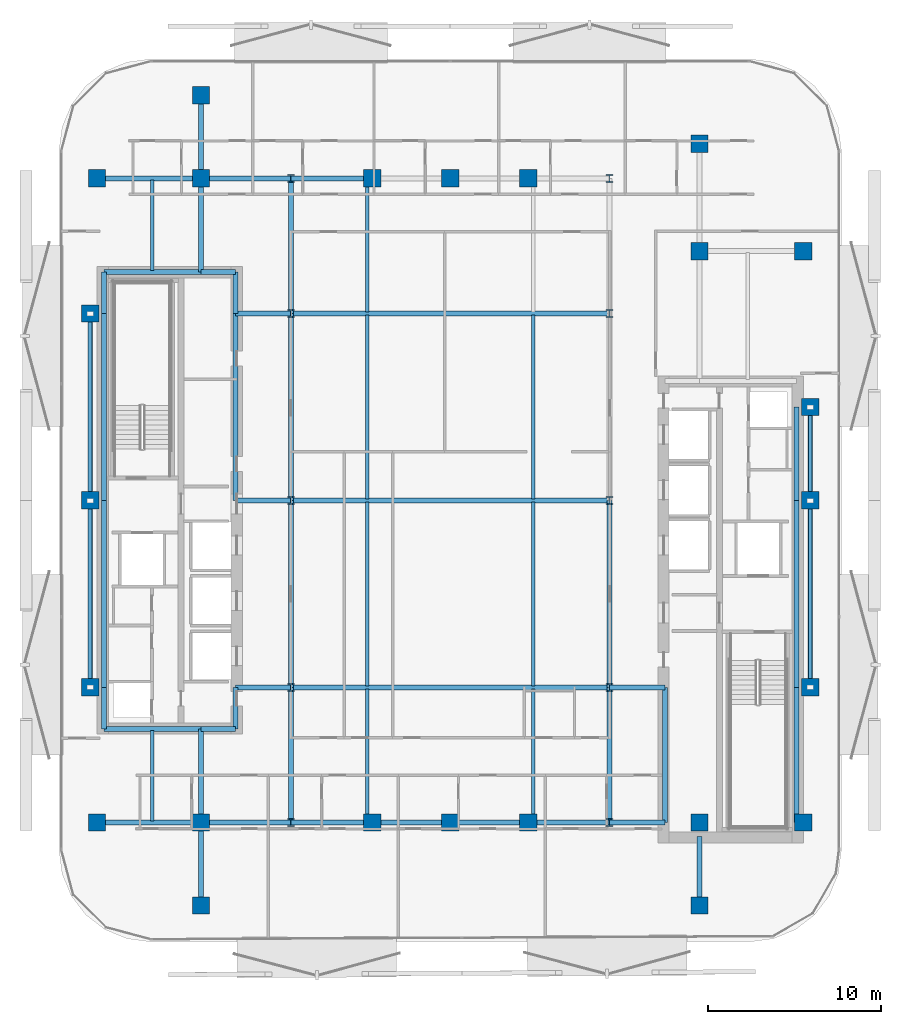
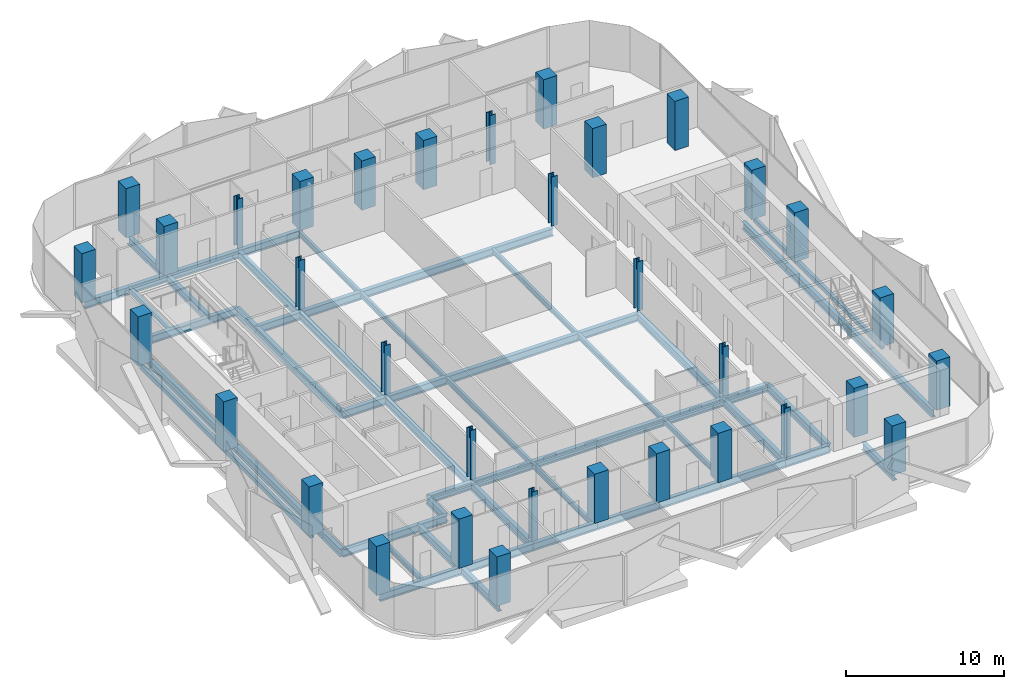
# One storey, part 1 of 17: 56 beams, 34 columns.
"""IFC4 building model written with IfcOpenShell, lengths in metres."""

from ifc_helpers import new_model, si_unit, direction, frame, origin, origin_2d, place, context, subcontext, project, spatial, rectangle, hollow_rectangle, i_section, extrude, material, material_profile, profile_set, type_object, element, save


model = new_model("IFC4")

# Units and contexts
model_context = context("Model", 3, precision=1e-05, world=origin(), true_north=direction((0.0, 1.0)))
body_context = subcontext(model_context, "Body", "Model", "MODEL_VIEW")
ifc_project = project(units=[si_unit("LENGTHUNIT", "METRE"), si_unit("AREAUNIT", "SQUARE_METRE"), si_unit("VOLUMEUNIT", "CUBIC_METRE"), si_unit("PLANEANGLEUNIT", "RADIAN"), si_unit("MASSUNIT", "GRAM", prefix="KILO")], contexts=[model_context])

# Site, building, storey
site_placement = place(None, origin())
site = spatial("IfcSite", under=ifc_project, at=site_placement, CompositionType="ELEMENT")
building_placement = place(site_placement, origin())
building = spatial("IfcBuilding", under=site, at=building_placement, Name="Khairoan Windgate Tower", CompositionType="ELEMENT")
storey_placement = place(building_placement, frame((0.0, 0.0, 195.39990234375)))
storey = spatial("IfcBuildingStorey", under=building, at=storey_placement, Name="L45", CompositionType="ELEMENT", Elevation=195.39990234375)

# Columns
ifc_material_1 = material(Name="Concrete C50/60", Category="concrete")
ifc_material_profile_1 = material_profile(ifc_material_1, rectangle(XDim=1.0, YDim=1.0, at=origin_2d()))
ifc_profile_set_1 = profile_set([ifc_material_profile_1], Name="Concrete C50/60")
column_type_1 = type_object("IfcColumnType", Name="Column C-T4 RC1000x1000", PredefinedType="COLUMN", material=ifc_profile_set_1)
for number, where, z_axis, x_axis, name in (
    (1, (-20.39990234375, -18.60009765625, 0.0), (0.0, 0.0, 1.0), (1.0, 0.0, 0.0), "Column L45-11"),
    (2, (-20.39990234375, 18.60009765625, 0.0), (0.0, 0.0, 1.0), (1.0, 0.0, 0.0), "Column L45-12"),
    (3, (20.39990234375, -18.60009765625, 0.0), (0.0, 0.0, 1.0), (1.0, 0.0, 0.0), "Column L45-13"),
    (4, (20.39990234375, 14.39990234375, 0.0), (0.0, 0.0, 1.0), (1.0, 0.0, 0.0), "Column L45-14"),
    (5, (-14.39990234375, -18.60009765625, 0.0), (0.0, 0.0, 1.0), (1.0, 0.0, 0.0), "Column L45-15"),
    (6, (-14.39990234375, 18.60009765625, 0.0), (0.0, 0.0, 1.0), (1.0, 0.0, 0.0), "Column L45-16"),
    (7, (14.39990234375, -18.60009765625, 0.0), (0.0, 0.0, 1.0), (1.0, 0.0, 0.0), "Column L45-17"),
    (8, (14.39990234375, 14.39990234375, 0.0), (0.0, 0.0, 1.0), (1.0, 0.0, 0.0), "Column L45-18"),
    (9, (-4.5, -18.60009765625, 0.0), (0.0, 0.0, 1.0), (1.0, 0.0, 0.0), "Column L45-19"),
    (10, (0.0, -18.60009765625, 0.0), (0.0, 0.0, 1.0), (1.0, 0.0, 0.0), "Column L45-20"),
    (11, (4.5, -18.60009765625, 0.0), (0.0, 0.0, 1.0), (1.0, 0.0, 0.0), "Column L45-21"),
    (12, (-4.5, 18.60009765625, 0.0), (0.0, 0.0, 1.0), (1.0, 0.0, 0.0), "Column L45-22"),
    (13, (0.0, 18.60009765625, 0.0), (0.0, 0.0, 1.0), (1.0, 0.0, 0.0), "Column L45-23"),
    (14, (4.5, 18.60009765625, 0.0), (0.0, 0.0, 1.0), (1.0, 0.0, 0.0), "Column L45-24"),
    (15, (-20.800048828125, -10.800048828125, 0.0), (0.0, 0.0, 1.0), (1.0, 0.0, 0.0), "Column L45-25"),
    (16, (-20.800048828125, 0.0, 0.0), (0.0, 0.0, 1.0), (1.0, 0.0, 0.0), "Column L45-26"),
    (17, (-20.800048828125, 10.800048828125, 0.0), (0.0, 0.0, 1.0), (1.0, 0.0, 0.0), "Column L45-27"),
    (18, (20.800048828125, -10.800048828125, 0.0), (0.0, 0.0, 1.0), (1.0, 0.0, 0.0), "Column L45-28"),
    (19, (20.800048828125, 0.0, 0.0), (0.0, 0.0, 1.0), (1.0, 0.0, 0.0), "Column L45-29"),
    (20, (20.800048828125, 5.39990234375, 0.0), (0.0, 0.0, 1.0), (1.0, 0.0, 0.0), "Column L45-30"),
    (21, (-14.39990234375, -23.39990234375, 0.0), (0.0, 0.0, 1.0), (1.0, 0.0, 0.0), "Column L45-31"),
    (22, (-14.39990234375, 23.39990234375, 0.0), (0.0, 0.0, 1.0), (1.0, 0.0, 0.0), "Column L45-32"),
    (23, (14.39990234375, -23.39990234375, 0.0), (0.0, 0.0, 1.0), (1.0, 0.0, 0.0), "Column L45-33"),
    (24, (14.39990234375, 20.60009765625, 0.0), (0.0, 0.0, 1.0), (1.0, 0.0, 0.0), "Column L45-34"),
):
    element("IfcColumn", number, at=place(storey_placement, frame(where, z_axis=z_axis, x_axis=x_axis)), inside=storey, type_object=column_type_1, Name=name, PredefinedType="COLUMN", context=body_context, shape_type="SweptSolid", body=[
        extrude(rectangle(XDim=1.0, YDim=1.0, at=origin_2d()), origin(), (0.0, 0.0, 1.0), 3.800048828125),
    ])
ifc_material_2 = material(Name="Steel S355", Category="steel")
ifc_material_profile_2 = material_profile(ifc_material_2, i_section(OverallWidth=0.4169921875, OverallDepth=0.4580078125, WebThickness=0.030029296875, FlangeThickness=0.050048828125, FilletRadius=0.02197265625, at=origin_2d()))
ifc_profile_set_2 = profile_set([ifc_material_profile_2], Name="Steel S355")
column_type_2 = type_object("IfcColumnType", Name="Steel Column SC2 H458x417x30x50", PredefinedType="COLUMN", material=ifc_profile_set_2)
for number, where, z_axis, x_axis, name in (
    (25, (-9.199951171875, -18.60009765625, 0.0), (0.0, 0.0, 1.0), (1.0, 0.0, 0.0), "Column L45-01"),
    (26, (-9.199951171875, -10.800048828125, 0.0), (0.0, 0.0, 1.0), (1.0, 0.0, 0.0), "Column L45-02"),
    (27, (-9.199951171875, 0.0, 0.0), (0.0, 0.0, 1.0), (1.0, 0.0, 0.0), "Column L45-03"),
    (28, (-9.199951171875, 10.800048828125, 0.0), (0.0, 0.0, 1.0), (1.0, 0.0, 0.0), "Column L45-04"),
    (29, (-9.199951171875, 18.60009765625, 0.0), (0.0, 0.0, 1.0), (1.0, 0.0, 0.0), "Column L45-05"),
    (30, (9.199951171875, -18.60009765625, 0.0), (0.0, 0.0, 1.0), (1.0, 0.0, 0.0), "Column L45-06"),
    (31, (9.199951171875, -10.800048828125, 0.0), (0.0, 0.0, 1.0), (1.0, 0.0, 0.0), "Column L45-07"),
    (32, (9.199951171875, 0.0, 0.0), (0.0, 0.0, 1.0), (1.0, 0.0, 0.0), "Column L45-08"),
    (33, (9.199951171875, 10.800048828125, 0.0), (0.0, 0.0, 1.0), (1.0, 0.0, 0.0), "Column L45-09"),
    (34, (9.199951171875, 18.60009765625, 0.0), (0.0, 0.0, 1.0), (1.0, 0.0, 0.0), "Column L45-10"),
):
    element("IfcColumn", number, at=place(storey_placement, frame(where, z_axis=z_axis, x_axis=x_axis)), inside=storey, type_object=column_type_2, Name=name, PredefinedType="COLUMN", context=body_context, shape_type="SweptSolid", body=[
        extrude(i_section(OverallWidth=0.4169921875, OverallDepth=0.4580078125, WebThickness=0.030029296875, FlangeThickness=0.050048828125, FilletRadius=0.02197265625, at=origin_2d()), origin(), (0.0, 0.0, 1.0), 3.800048828125),
    ])

# Beams
ifc_material_3 = material(Name="Steel S355", Category="steel")
ifc_material_profile_3 = material_profile(ifc_material_3, i_section(OverallWidth=0.300048828125, OverallDepth=0.587890625, WebThickness=0.011962890625, FlangeThickness=0.02001953125, FilletRadius=0.02392578125, at=origin_2d()))
ifc_profile_set_3 = profile_set([ifc_material_profile_3], Name="Steel S355")
beam_type_1 = type_object("IfcBeamType", Name="Beam B-G4 H588x300x12x20", PredefinedType="BEAM", material=ifc_profile_set_3)
beam_1_placement = place(storey_placement, frame((-20.39990234375, -18.60009765625, -0.553955078125), z_axis=(1.0, 0.0, 0.0), x_axis=(0.0, 1.0, 0.0)))
element("IfcBeam", 35, at=beam_1_placement, inside=storey, type_object=beam_type_1, Name="L45 E-W Primary Girder 01", PredefinedType="BEAM", context=body_context, shape_type="SweptSolid", body=[
    extrude(i_section(OverallWidth=0.300048828125, OverallDepth=0.587890625, WebThickness=0.011962890625, FlangeThickness=0.02001953125, FilletRadius=0.02392578125, at=origin_2d()), origin(), (0.0, 0.0, 1.0), 6.0),
])
beam_2_placement = place(storey_placement, frame((-14.39990234375, -18.60009765625, -0.553955078125), z_axis=(1.0, 0.0, 0.0), x_axis=(0.0, 1.0, 0.0)))
element("IfcBeam", 36, at=beam_2_placement, inside=storey, type_object=beam_type_1, Name="L45 E-W Primary Girder 02", PredefinedType="BEAM", context=body_context, shape_type="SweptSolid", body=[
    extrude(i_section(OverallWidth=0.300048828125, OverallDepth=0.587890625, WebThickness=0.011962890625, FlangeThickness=0.02001953125, FilletRadius=0.02392578125, at=origin_2d()), origin(), (0.0, 0.0, 1.0), 5.199951171875),
])
beam_3_placement = place(storey_placement, frame((-9.199951171875, -18.60009765625, -0.553955078125), z_axis=(1.0, 0.0, 0.0), x_axis=(0.0, 1.0, 0.0)))
element("IfcBeam", 37, at=beam_3_placement, inside=storey, type_object=beam_type_1, Name="L45 E-W Primary Girder 03", PredefinedType="BEAM", context=body_context, shape_type="SweptSolid", body=[
    extrude(i_section(OverallWidth=0.300048828125, OverallDepth=0.587890625, WebThickness=0.011962890625, FlangeThickness=0.02001953125, FilletRadius=0.02392578125, at=origin_2d()), origin(), (0.0, 0.0, 1.0), 4.699951171875),
])
for number, where, z_axis, x_axis, name in (
    (38, (-4.5, -18.60009765625, -0.553955078125), (1.0, 0.0, 0.0), (0.0, 1.0, 0.0), "L45 E-W Primary Girder 04"),
    (39, (0.0, -18.60009765625, -0.553955078125), (1.0, 0.0, 0.0), (0.0, 1.0, 0.0), "L45 E-W Primary Girder 05"),
):
    element("IfcBeam", number, at=place(storey_placement, frame(where, z_axis=z_axis, x_axis=x_axis)), inside=storey, type_object=beam_type_1, Name=name, PredefinedType="BEAM", context=body_context, shape_type="SweptSolid", body=[
        extrude(i_section(OverallWidth=0.300048828125, OverallDepth=0.587890625, WebThickness=0.011962890625, FlangeThickness=0.02001953125, FilletRadius=0.02392578125, at=origin_2d()), origin(), (0.0, 0.0, 1.0), 4.5),
    ])
beam_4_placement = place(storey_placement, frame((4.5, -18.60009765625, -0.553955078125), z_axis=(1.0, 0.0, 0.0), x_axis=(0.0, 1.0, 0.0)))
element("IfcBeam", 40, at=beam_4_placement, inside=storey, type_object=beam_type_1, Name="L45 E-W Primary Girder 06", PredefinedType="BEAM", context=body_context, shape_type="SweptSolid", body=[
    extrude(i_section(OverallWidth=0.300048828125, OverallDepth=0.587890625, WebThickness=0.011962890625, FlangeThickness=0.02001953125, FilletRadius=0.02392578125, at=origin_2d()), origin(), (0.0, 0.0, 1.0), 4.699951171875),
])
beam_5_placement = place(storey_placement, frame((9.199951171875, -18.60009765625, -0.553955078125), z_axis=(1.0, 0.0, 0.0), x_axis=(0.0, 1.0, 0.0)))
element("IfcBeam", 41, at=beam_5_placement, inside=storey, type_object=beam_type_1, Name="L45 E-W Primary Girder 07", PredefinedType="BEAM", context=body_context, shape_type="SweptSolid", body=[
    extrude(i_section(OverallWidth=0.300048828125, OverallDepth=0.587890625, WebThickness=0.011962890625, FlangeThickness=0.02001953125, FilletRadius=0.02392578125, at=origin_2d()), origin(), (0.0, 0.0, 1.0), 3.199951171875),
])
beam_6_placement = place(storey_placement, frame((-20.0, -13.199951171875, -0.553955078125), z_axis=(1.0, 0.0, 0.0), x_axis=(0.0, 1.0, 0.0)))
element("IfcBeam", 42, at=beam_6_placement, inside=storey, type_object=beam_type_1, Name="L45 E-W Primary Girder 08", PredefinedType="BEAM", context=body_context, shape_type="SweptSolid", body=[
    extrude(i_section(OverallWidth=0.300048828125, OverallDepth=0.587890625, WebThickness=0.011962890625, FlangeThickness=0.02001953125, FilletRadius=0.02392578125, at=origin_2d()), origin(), (0.0, 0.0, 1.0), 5.60009765625),
])
beam_7_placement = place(storey_placement, frame((-14.39990234375, -13.199951171875, -0.553955078125), z_axis=(1.0, 0.0, 0.0), x_axis=(0.0, 1.0, 0.0)))
element("IfcBeam", 43, at=beam_7_placement, inside=storey, type_object=beam_type_1, Name="L45 E-W Primary Girder 09", PredefinedType="BEAM", context=body_context, shape_type="SweptSolid", body=[
    extrude(i_section(OverallWidth=0.300048828125, OverallDepth=0.587890625, WebThickness=0.011962890625, FlangeThickness=0.02001953125, FilletRadius=0.02392578125, at=origin_2d()), origin(), (0.0, 0.0, 1.0), 2.0),
])
beam_8_placement = place(storey_placement, frame((-12.39990234375, -10.800048828125, -0.553955078125), z_axis=(1.0, 0.0, 0.0), x_axis=(0.0, 1.0, 0.0)))
element("IfcBeam", 44, at=beam_8_placement, inside=storey, type_object=beam_type_1, Name="L45 E-W Primary Girder 10", PredefinedType="BEAM", context=body_context, shape_type="SweptSolid", body=[
    extrude(i_section(OverallWidth=0.300048828125, OverallDepth=0.587890625, WebThickness=0.011962890625, FlangeThickness=0.02001953125, FilletRadius=0.02392578125, at=origin_2d()), origin(), (0.0, 0.0, 1.0), 3.199951171875),
])
beam_9_placement = place(storey_placement, frame((-9.199951171875, -10.800048828125, -0.553955078125), z_axis=(1.0, 0.0, 0.0), x_axis=(0.0, 1.0, 0.0)))
element("IfcBeam", 45, at=beam_9_placement, inside=storey, type_object=beam_type_1, Name="L45 E-W Primary Girder 11", PredefinedType="BEAM", context=body_context, shape_type="SweptSolid", body=[
    extrude(i_section(OverallWidth=0.300048828125, OverallDepth=0.587890625, WebThickness=0.011962890625, FlangeThickness=0.02001953125, FilletRadius=0.02392578125, at=origin_2d()), origin(), (0.0, 0.0, 1.0), 18.39990234375),
])
for number, where, z_axis, x_axis, name in (
    (46, (9.199951171875, -10.800048828125, -0.553955078125), (1.0, 0.0, 0.0), (0.0, 1.0, 0.0), "L45 E-W Primary Girder 12"),
    (47, (-12.39990234375, 0.0, -0.553955078125), (1.0, 0.0, 0.0), (0.0, 1.0, 0.0), "L45 E-W Primary Girder 13"),
):
    element("IfcBeam", number, at=place(storey_placement, frame(where, z_axis=z_axis, x_axis=x_axis)), inside=storey, type_object=beam_type_1, Name=name, PredefinedType="BEAM", context=body_context, shape_type="SweptSolid", body=[
        extrude(i_section(OverallWidth=0.300048828125, OverallDepth=0.587890625, WebThickness=0.011962890625, FlangeThickness=0.02001953125, FilletRadius=0.02392578125, at=origin_2d()), origin(), (0.0, 0.0, 1.0), 3.199951171875),
    ])
beam_10_placement = place(storey_placement, frame((-9.199951171875, 0.0, -0.553955078125), z_axis=(1.0, 0.0, 0.0), x_axis=(0.0, 1.0, 0.0)))
element("IfcBeam", 48, at=beam_10_placement, inside=storey, type_object=beam_type_1, Name="L45 E-W Primary Girder 14", PredefinedType="BEAM", context=body_context, shape_type="SweptSolid", body=[
    extrude(i_section(OverallWidth=0.300048828125, OverallDepth=0.587890625, WebThickness=0.011962890625, FlangeThickness=0.02001953125, FilletRadius=0.02392578125, at=origin_2d()), origin(), (0.0, 0.0, 1.0), 18.39990234375),
])
beam_11_placement = place(storey_placement, frame((-12.39990234375, 10.800048828125, -0.553955078125), z_axis=(1.0, 0.0, 0.0), x_axis=(0.0, 1.0, 0.0)))
element("IfcBeam", 49, at=beam_11_placement, inside=storey, type_object=beam_type_1, Name="L45 E-W Primary Girder 17", PredefinedType="BEAM", context=body_context, shape_type="SweptSolid", body=[
    extrude(i_section(OverallWidth=0.300048828125, OverallDepth=0.587890625, WebThickness=0.011962890625, FlangeThickness=0.02001953125, FilletRadius=0.02392578125, at=origin_2d()), origin(), (0.0, 0.0, 1.0), 3.199951171875),
])
beam_12_placement = place(storey_placement, frame((-9.199951171875, 10.800048828125, -0.553955078125), z_axis=(1.0, 0.0, 0.0), x_axis=(0.0, 1.0, 0.0)))
element("IfcBeam", 50, at=beam_12_placement, inside=storey, type_object=beam_type_1, Name="L45 E-W Primary Girder 18", PredefinedType="BEAM", context=body_context, shape_type="SweptSolid", body=[
    extrude(i_section(OverallWidth=0.300048828125, OverallDepth=0.587890625, WebThickness=0.011962890625, FlangeThickness=0.02001953125, FilletRadius=0.02392578125, at=origin_2d()), origin(), (0.0, 0.0, 1.0), 18.39990234375),
])
beam_13_placement = place(storey_placement, frame((-20.0, 13.199951171875, -0.553955078125), z_axis=(1.0, 0.0, 0.0), x_axis=(0.0, 1.0, 0.0)))
element("IfcBeam", 51, at=beam_13_placement, inside=storey, type_object=beam_type_1, Name="L45 E-W Primary Girder 19", PredefinedType="BEAM", context=body_context, shape_type="SweptSolid", body=[
    extrude(i_section(OverallWidth=0.300048828125, OverallDepth=0.587890625, WebThickness=0.011962890625, FlangeThickness=0.02001953125, FilletRadius=0.02392578125, at=origin_2d()), origin(), (0.0, 0.0, 1.0), 5.60009765625),
])
beam_14_placement = place(storey_placement, frame((-14.39990234375, 13.199951171875, -0.553955078125), z_axis=(1.0, 0.0, 0.0), x_axis=(0.0, 1.0, 0.0)))
element("IfcBeam", 52, at=beam_14_placement, inside=storey, type_object=beam_type_1, Name="L45 E-W Primary Girder 20", PredefinedType="BEAM", context=body_context, shape_type="SweptSolid", body=[
    extrude(i_section(OverallWidth=0.300048828125, OverallDepth=0.587890625, WebThickness=0.011962890625, FlangeThickness=0.02001953125, FilletRadius=0.02392578125, at=origin_2d()), origin(), (0.0, 0.0, 1.0), 2.0),
])
beam_15_placement = place(storey_placement, frame((-20.39990234375, 18.60009765625, -0.553955078125), z_axis=(1.0, 0.0, 0.0), x_axis=(0.0, 1.0, 0.0)))
element("IfcBeam", 53, at=beam_15_placement, inside=storey, type_object=beam_type_1, Name="L45 E-W Primary Girder 22", PredefinedType="BEAM", context=body_context, shape_type="SweptSolid", body=[
    extrude(i_section(OverallWidth=0.300048828125, OverallDepth=0.587890625, WebThickness=0.011962890625, FlangeThickness=0.02001953125, FilletRadius=0.02392578125, at=origin_2d()), origin(), (0.0, 0.0, 1.0), 6.0),
])
beam_16_placement = place(storey_placement, frame((-14.39990234375, 18.60009765625, -0.553955078125), z_axis=(1.0, 0.0, 0.0), x_axis=(0.0, 1.0, 0.0)))
element("IfcBeam", 54, at=beam_16_placement, inside=storey, type_object=beam_type_1, Name="L45 E-W Primary Girder 23", PredefinedType="BEAM", context=body_context, shape_type="SweptSolid", body=[
    extrude(i_section(OverallWidth=0.300048828125, OverallDepth=0.587890625, WebThickness=0.011962890625, FlangeThickness=0.02001953125, FilletRadius=0.02392578125, at=origin_2d()), origin(), (0.0, 0.0, 1.0), 5.199951171875),
])
beam_17_placement = place(storey_placement, frame((-9.199951171875, 18.60009765625, -0.553955078125), z_axis=(1.0, 0.0, 0.0), x_axis=(0.0, 1.0, 0.0)))
element("IfcBeam", 55, at=beam_17_placement, inside=storey, type_object=beam_type_1, Name="L45 E-W Primary Girder 24", PredefinedType="BEAM", context=body_context, shape_type="SweptSolid", body=[
    extrude(i_section(OverallWidth=0.300048828125, OverallDepth=0.587890625, WebThickness=0.011962890625, FlangeThickness=0.02001953125, FilletRadius=0.02392578125, at=origin_2d()), origin(), (0.0, 0.0, 1.0), 4.699951171875),
])
beam_18_placement = place(storey_placement, frame((-20.0, -13.199951171875, -0.553955078125), z_axis=(0.0, 1.0, 0.0), x_axis=(-1.0, 0.0, 0.0)))
element("IfcBeam", 56, at=beam_18_placement, inside=storey, type_object=beam_type_1, Name="L45 N-S Primary Beam 30", PredefinedType="BEAM", context=body_context, shape_type="SweptSolid", body=[
    extrude(i_section(OverallWidth=0.300048828125, OverallDepth=0.587890625, WebThickness=0.011962890625, FlangeThickness=0.02001953125, FilletRadius=0.02392578125, at=origin_2d()), origin(), (0.0, 0.0, 1.0), 2.39990234375),
])
for number, where, z_axis, x_axis, name in (
    (57, (-20.0, -10.800048828125, -0.553955078125), (0.0, 1.0, 0.0), (-1.0, 0.0, 0.0), "L45 N-S Primary Beam 31"),
    (58, (-20.0, 0.0, -0.553955078125), (0.0, 1.0, 0.0), (-1.0, 0.0, 0.0), "L45 N-S Primary Beam 32"),
):
    element("IfcBeam", number, at=place(storey_placement, frame(where, z_axis=z_axis, x_axis=x_axis)), inside=storey, type_object=beam_type_1, Name=name, PredefinedType="BEAM", context=body_context, shape_type="SweptSolid", body=[
        extrude(i_section(OverallWidth=0.300048828125, OverallDepth=0.587890625, WebThickness=0.011962890625, FlangeThickness=0.02001953125, FilletRadius=0.02392578125, at=origin_2d()), origin(), (0.0, 0.0, 1.0), 10.800048828125),
    ])
beam_19_placement = place(storey_placement, frame((-20.0, 10.800048828125, -0.553955078125), z_axis=(0.0, 1.0, 0.0), x_axis=(-1.0, 0.0, 0.0)))
element("IfcBeam", 59, at=beam_19_placement, inside=storey, type_object=beam_type_1, Name="L45 N-S Primary Beam 33", PredefinedType="BEAM", context=body_context, shape_type="SweptSolid", body=[
    extrude(i_section(OverallWidth=0.300048828125, OverallDepth=0.587890625, WebThickness=0.011962890625, FlangeThickness=0.02001953125, FilletRadius=0.02392578125, at=origin_2d()), origin(), (0.0, 0.0, 1.0), 2.39990234375),
])
beam_20_placement = place(storey_placement, frame((-14.39990234375, -23.39990234375, -0.553955078125), z_axis=(0.0, 1.0, 0.0), x_axis=(-1.0, 0.0, 0.0)))
element("IfcBeam", 60, at=beam_20_placement, inside=storey, type_object=beam_type_1, Name="L45 N-S Primary Beam 34", PredefinedType="BEAM", context=body_context, shape_type="SweptSolid", body=[
    extrude(i_section(OverallWidth=0.300048828125, OverallDepth=0.587890625, WebThickness=0.011962890625, FlangeThickness=0.02001953125, FilletRadius=0.02392578125, at=origin_2d()), origin(), (0.0, 0.0, 1.0), 4.7998046875),
])
for number, where, z_axis, x_axis, name in (
    (61, (-14.39990234375, -18.60009765625, -0.553955078125), (0.0, 1.0, 0.0), (-1.0, 0.0, 0.0), "L45 N-S Primary Beam 35"),
    (62, (-14.39990234375, 13.199951171875, -0.553955078125), (0.0, 1.0, 0.0), (-1.0, 0.0, 0.0), "L45 N-S Primary Beam 36"),
):
    element("IfcBeam", number, at=place(storey_placement, frame(where, z_axis=z_axis, x_axis=x_axis)), inside=storey, type_object=beam_type_1, Name=name, PredefinedType="BEAM", context=body_context, shape_type="SweptSolid", body=[
        extrude(i_section(OverallWidth=0.300048828125, OverallDepth=0.587890625, WebThickness=0.011962890625, FlangeThickness=0.02001953125, FilletRadius=0.02392578125, at=origin_2d()), origin(), (0.0, 0.0, 1.0), 5.400146484375),
    ])
beam_21_placement = place(storey_placement, frame((-14.39990234375, 18.60009765625, -0.553955078125), z_axis=(0.0, 1.0, 0.0), x_axis=(-1.0, 0.0, 0.0)))
element("IfcBeam", 63, at=beam_21_placement, inside=storey, type_object=beam_type_1, Name="L45 N-S Primary Beam 37", PredefinedType="BEAM", context=body_context, shape_type="SweptSolid", body=[
    extrude(i_section(OverallWidth=0.300048828125, OverallDepth=0.587890625, WebThickness=0.011962890625, FlangeThickness=0.02001953125, FilletRadius=0.02392578125, at=origin_2d()), origin(), (0.0, 0.0, 1.0), 4.7998046875),
])
beam_22_placement = place(storey_placement, frame((-12.39990234375, -13.199951171875, -0.553955078125), z_axis=(0.0, 1.0, 0.0), x_axis=(-1.0, 0.0, 0.0)))
element("IfcBeam", 64, at=beam_22_placement, inside=storey, type_object=beam_type_1, Name="L45 N-S Primary Beam 38", PredefinedType="BEAM", context=body_context, shape_type="SweptSolid", body=[
    extrude(i_section(OverallWidth=0.300048828125, OverallDepth=0.587890625, WebThickness=0.011962890625, FlangeThickness=0.02001953125, FilletRadius=0.02392578125, at=origin_2d()), origin(), (0.0, 0.0, 1.0), 2.39990234375),
])
beam_23_placement = place(storey_placement, frame((-12.39990234375, 0.0, -0.553955078125), z_axis=(0.0, 1.0, 0.0), x_axis=(-1.0, 0.0, 0.0)))
element("IfcBeam", 65, at=beam_23_placement, inside=storey, type_object=beam_type_1, Name="L45 N-S Primary Beam 39", PredefinedType="BEAM", context=body_context, shape_type="SweptSolid", body=[
    extrude(i_section(OverallWidth=0.300048828125, OverallDepth=0.587890625, WebThickness=0.011962890625, FlangeThickness=0.02001953125, FilletRadius=0.02392578125, at=origin_2d()), origin(), (0.0, 0.0, 1.0), 10.800048828125),
])
beam_24_placement = place(storey_placement, frame((-12.39990234375, 10.800048828125, -0.553955078125), z_axis=(0.0, 1.0, 0.0), x_axis=(-1.0, 0.0, 0.0)))
element("IfcBeam", 66, at=beam_24_placement, inside=storey, type_object=beam_type_1, Name="L45 N-S Primary Beam 40", PredefinedType="BEAM", context=body_context, shape_type="SweptSolid", body=[
    extrude(i_section(OverallWidth=0.300048828125, OverallDepth=0.587890625, WebThickness=0.011962890625, FlangeThickness=0.02001953125, FilletRadius=0.02392578125, at=origin_2d()), origin(), (0.0, 0.0, 1.0), 2.39990234375),
])
beam_25_placement = place(storey_placement, frame((-9.199951171875, -18.60009765625, -0.553955078125), z_axis=(0.0, 1.0, 0.0), x_axis=(-1.0, 0.0, 0.0)))
element("IfcBeam", 67, at=beam_25_placement, inside=storey, type_object=beam_type_1, Name="L45 N-S Primary Beam 41", PredefinedType="BEAM", context=body_context, shape_type="SweptSolid", body=[
    extrude(i_section(OverallWidth=0.300048828125, OverallDepth=0.587890625, WebThickness=0.011962890625, FlangeThickness=0.02001953125, FilletRadius=0.02392578125, at=origin_2d()), origin(), (0.0, 0.0, 1.0), 7.800048828125),
])
for number, where, z_axis, x_axis, name in (
    (68, (-9.199951171875, -10.800048828125, -0.553955078125), (0.0, 1.0, 0.0), (-1.0, 0.0, 0.0), "L45 N-S Primary Beam 42"),
    (69, (-9.199951171875, 0.0, -0.553955078125), (0.0, 1.0, 0.0), (-1.0, 0.0, 0.0), "L45 N-S Primary Beam 43"),
):
    element("IfcBeam", number, at=place(storey_placement, frame(where, z_axis=z_axis, x_axis=x_axis)), inside=storey, type_object=beam_type_1, Name=name, PredefinedType="BEAM", context=body_context, shape_type="SweptSolid", body=[
        extrude(i_section(OverallWidth=0.300048828125, OverallDepth=0.587890625, WebThickness=0.011962890625, FlangeThickness=0.02001953125, FilletRadius=0.02392578125, at=origin_2d()), origin(), (0.0, 0.0, 1.0), 10.800048828125),
    ])
for number, where, z_axis, x_axis, name in (
    (70, (-9.199951171875, 10.800048828125, -0.553955078125), (0.0, 1.0, 0.0), (-1.0, 0.0, 0.0), "L45 N-S Primary Beam 44"),
    (71, (9.199951171875, -18.60009765625, -0.553955078125), (0.0, 1.0, 0.0), (-1.0, 0.0, 0.0), "L45 N-S Primary Beam 45"),
):
    element("IfcBeam", number, at=place(storey_placement, frame(where, z_axis=z_axis, x_axis=x_axis)), inside=storey, type_object=beam_type_1, Name=name, PredefinedType="BEAM", context=body_context, shape_type="SweptSolid", body=[
        extrude(i_section(OverallWidth=0.300048828125, OverallDepth=0.587890625, WebThickness=0.011962890625, FlangeThickness=0.02001953125, FilletRadius=0.02392578125, at=origin_2d()), origin(), (0.0, 0.0, 1.0), 7.800048828125),
    ])
beam_26_placement = place(storey_placement, frame((9.199951171875, -10.800048828125, -0.553955078125), z_axis=(0.0, 1.0, 0.0), x_axis=(-1.0, 0.0, 0.0)))
element("IfcBeam", 72, at=beam_26_placement, inside=storey, type_object=beam_type_1, Name="L45 N-S Primary Beam 46", PredefinedType="BEAM", context=body_context, shape_type="SweptSolid", body=[
    extrude(i_section(OverallWidth=0.300048828125, OverallDepth=0.587890625, WebThickness=0.011962890625, FlangeThickness=0.02001953125, FilletRadius=0.02392578125, at=origin_2d()), origin(), (0.0, 0.0, 1.0), 10.800048828125),
])
beam_27_placement = place(storey_placement, frame((12.39990234375, -18.60009765625, -0.553955078125), z_axis=(0.0, 1.0, 0.0), x_axis=(-1.0, 0.0, 0.0)))
element("IfcBeam", 73, at=beam_27_placement, inside=storey, type_object=beam_type_1, Name="L45 N-S Primary Beam 49", PredefinedType="BEAM", context=body_context, shape_type="SweptSolid", body=[
    extrude(i_section(OverallWidth=0.300048828125, OverallDepth=0.587890625, WebThickness=0.011962890625, FlangeThickness=0.02001953125, FilletRadius=0.02392578125, at=origin_2d()), origin(), (0.0, 0.0, 1.0), 7.800048828125),
])
beam_28_placement = place(storey_placement, frame((14.39990234375, -23.39990234375, -0.553955078125), z_axis=(0.0, 1.0, 0.0), x_axis=(-1.0, 0.0, 0.0)))
element("IfcBeam", 74, at=beam_28_placement, inside=storey, type_object=beam_type_1, Name="L45 N-S Primary Beam 50", PredefinedType="BEAM", context=body_context, shape_type="SweptSolid", body=[
    extrude(i_section(OverallWidth=0.300048828125, OverallDepth=0.587890625, WebThickness=0.011962890625, FlangeThickness=0.02001953125, FilletRadius=0.02392578125, at=origin_2d()), origin(), (0.0, 0.0, 1.0), 4.0),
])
beam_29_placement = place(storey_placement, frame((20.0, -18.60009765625, -0.553955078125), z_axis=(0.0, 1.0, 0.0), x_axis=(-1.0, 0.0, 0.0)))
element("IfcBeam", 75, at=beam_29_placement, inside=storey, type_object=beam_type_1, Name="L45 N-S Primary Beam 53", PredefinedType="BEAM", context=body_context, shape_type="SweptSolid", body=[
    extrude(i_section(OverallWidth=0.300048828125, OverallDepth=0.587890625, WebThickness=0.011962890625, FlangeThickness=0.02001953125, FilletRadius=0.02392578125, at=origin_2d()), origin(), (0.0, 0.0, 1.0), 7.800048828125),
])
beam_30_placement = place(storey_placement, frame((20.0, -10.800048828125, -0.553955078125), z_axis=(0.0, 1.0, 0.0), x_axis=(-1.0, 0.0, 0.0)))
element("IfcBeam", 76, at=beam_30_placement, inside=storey, type_object=beam_type_1, Name="L45 N-S Primary Beam 54", PredefinedType="BEAM", context=body_context, shape_type="SweptSolid", body=[
    extrude(i_section(OverallWidth=0.300048828125, OverallDepth=0.587890625, WebThickness=0.011962890625, FlangeThickness=0.02001953125, FilletRadius=0.02392578125, at=origin_2d()), origin(), (0.0, 0.0, 1.0), 10.800048828125),
])
beam_31_placement = place(storey_placement, frame((20.0, 0.0, -0.553955078125), z_axis=(0.0, 1.0, 0.0), x_axis=(-1.0, 0.0, 0.0)))
element("IfcBeam", 77, at=beam_31_placement, inside=storey, type_object=beam_type_1, Name="L45 N-S Primary Beam 55", PredefinedType="BEAM", context=body_context, shape_type="SweptSolid", body=[
    extrude(i_section(OverallWidth=0.300048828125, OverallDepth=0.587890625, WebThickness=0.011962890625, FlangeThickness=0.02001953125, FilletRadius=0.02392578125, at=origin_2d()), origin(), (0.0, 0.0, 1.0), 5.39990234375),
])
ifc_material_4 = material(Name="Steel S355", Category="steel")
ifc_material_profile_4 = material_profile(ifc_material_4, i_section(OverallWidth=0.199951171875, OverallDepth=0.39990234375, WebThickness=0.008056640625, FlangeThickness=0.012939453125, FilletRadius=0.01611328125, at=origin_2d()))
ifc_profile_set_4 = profile_set([ifc_material_profile_4], Name="Steel S355")
beam_type_2 = type_object("IfcBeamType", Name="Beam J-S4 H400x200x8x13", PredefinedType="JOIST", material=ifc_profile_set_4)
for number, where, z_axis, x_axis, name in (
    (78, (-17.199951171875, -18.510009765625, -0.4599609375), (0.0, 1.0, 0.0), (-1.0, 0.0, 0.0), "L45 Secondary Floor Joist 01"),
    (79, (-17.199951171875, 13.2900390625, -0.4599609375), (0.0, 1.0, 0.0), (-1.0, 0.0, 0.0), "L45 Secondary Floor Joist 02"),
):
    element("IfcBeam", number, at=place(storey_placement, frame(where, z_axis=z_axis, x_axis=x_axis)), inside=storey, type_object=beam_type_2, Name=name, PredefinedType="JOIST", context=body_context, shape_type="SweptSolid", body=[
        extrude(i_section(OverallWidth=0.199951171875, OverallDepth=0.39990234375, WebThickness=0.008056640625, FlangeThickness=0.012939453125, FilletRadius=0.01611328125, at=origin_2d()), origin(), (0.0, 0.0, 1.0), 5.219970703125),
    ])
beam_32_placement = place(storey_placement, frame((-4.800048828125, -18.510009765625, -0.4599609375), z_axis=(0.0, 1.0, 0.0), x_axis=(-1.0, 0.0, 0.0)))
element("IfcBeam", 80, at=beam_32_placement, inside=storey, type_object=beam_type_2, Name="L45 Secondary Floor Joist 03", PredefinedType="JOIST", context=body_context, shape_type="SweptSolid", body=[
    extrude(i_section(OverallWidth=0.199951171875, OverallDepth=0.39990234375, WebThickness=0.008056640625, FlangeThickness=0.012939453125, FilletRadius=0.01611328125, at=origin_2d()), origin(), (0.0, 0.0, 1.0), 7.6201171875),
])
for number, where, z_axis, x_axis, name in (
    (81, (-4.800048828125, -10.7099609375, -0.4599609375), (0.0, 1.0, 0.0), (-1.0, 0.0, 0.0), "L45 Secondary Floor Joist 04"),
    (82, (-4.800048828125, 0.090087890625, -0.4599609375), (0.0, 1.0, 0.0), (-1.0, 0.0, 0.0), "L45 Secondary Floor Joist 05"),
):
    element("IfcBeam", number, at=place(storey_placement, frame(where, z_axis=z_axis, x_axis=x_axis)), inside=storey, type_object=beam_type_2, Name=name, PredefinedType="JOIST", context=body_context, shape_type="SweptSolid", body=[
        extrude(i_section(OverallWidth=0.199951171875, OverallDepth=0.39990234375, WebThickness=0.008056640625, FlangeThickness=0.012939453125, FilletRadius=0.01611328125, at=origin_2d()), origin(), (0.0, 0.0, 1.0), 10.619873046875),
    ])
for number, where, z_axis, x_axis, name in (
    (83, (-4.800048828125, 10.889892578125, -0.4599609375), (0.0, 1.0, 0.0), (-1.0, 0.0, 0.0), "L45 Secondary Floor Joist 06"),
    (84, (4.800048828125, -18.510009765625, -0.4599609375), (0.0, 1.0, 0.0), (-1.0, 0.0, 0.0), "L45 Secondary Floor Joist 07"),
):
    element("IfcBeam", number, at=place(storey_placement, frame(where, z_axis=z_axis, x_axis=x_axis)), inside=storey, type_object=beam_type_2, Name=name, PredefinedType="JOIST", context=body_context, shape_type="SweptSolid", body=[
        extrude(i_section(OverallWidth=0.199951171875, OverallDepth=0.39990234375, WebThickness=0.008056640625, FlangeThickness=0.012939453125, FilletRadius=0.01611328125, at=origin_2d()), origin(), (0.0, 0.0, 1.0), 7.6201171875),
    ])
for number, where, z_axis, x_axis, name in (
    (85, (4.800048828125, -10.7099609375, -0.4599609375), (0.0, 1.0, 0.0), (-1.0, 0.0, 0.0), "L45 Secondary Floor Joist 08"),
    (86, (4.800048828125, 0.090087890625, -0.4599609375), (0.0, 1.0, 0.0), (-1.0, 0.0, 0.0), "L45 Secondary Floor Joist 09"),
):
    element("IfcBeam", number, at=place(storey_placement, frame(where, z_axis=z_axis, x_axis=x_axis)), inside=storey, type_object=beam_type_2, Name=name, PredefinedType="JOIST", context=body_context, shape_type="SweptSolid", body=[
        extrude(i_section(OverallWidth=0.199951171875, OverallDepth=0.39990234375, WebThickness=0.008056640625, FlangeThickness=0.012939453125, FilletRadius=0.01611328125, at=origin_2d()), origin(), (0.0, 0.0, 1.0), 10.619873046875),
    ])
ifc_material_5 = material(Name="Steel S355", Category="steel")
ifc_material_profile_5 = material_profile(ifc_material_5, hollow_rectangle(XDim=0.25, YDim=0.35009765625, WallThickness=0.012451171875, InnerFilletRadius=0.012451171875, OuterFilletRadius=0.02490234375, at=origin_2d()))
ifc_profile_set_5 = profile_set([ifc_material_profile_5], Name="Steel S355")
beam_type_3 = type_object("IfcBeamType", Name="Beam SP-B2 RHS350x250x12.5", PredefinedType="SPANDREL", material=ifc_profile_set_5)
for number, where, z_axis, x_axis, name in (
    (87, (-20.800048828125, -10.800048828125, -0.434814453125), (0.0, 1.0, 0.0), (-1.0, 0.0, 0.0), "L45 Spandrel Beam 28"),
    (88, (-20.800048828125, 0.0, -0.434814453125), (0.0, 1.0, 0.0), (-1.0, 0.0, 0.0), "L45 Spandrel Beam 29"),
    (89, (20.800048828125, -10.800048828125, -0.434814453125), (0.0, 1.0, 0.0), (-1.0, 0.0, 0.0), "L45 Spandrel Beam 56"),
):
    element("IfcBeam", number, at=place(storey_placement, frame(where, z_axis=z_axis, x_axis=x_axis)), inside=storey, type_object=beam_type_3, Name=name, PredefinedType="SPANDREL", context=body_context, shape_type="SweptSolid", body=[
        extrude(hollow_rectangle(XDim=0.25, YDim=0.35009765625, WallThickness=0.012451171875, InnerFilletRadius=0.012451171875, OuterFilletRadius=0.02490234375, at=origin_2d()), origin(), (0.0, 0.0, 1.0), 10.800048828125),
    ])
beam_33_placement = place(storey_placement, frame((20.800048828125, 0.0, -0.434814453125), z_axis=(0.0, 1.0, 0.0), x_axis=(-1.0, 0.0, 0.0)))
element("IfcBeam", 90, at=beam_33_placement, inside=storey, type_object=beam_type_3, Name="L45 Spandrel Beam 57", PredefinedType="SPANDREL", context=body_context, shape_type="SweptSolid", body=[
    extrude(hollow_rectangle(XDim=0.25, YDim=0.35009765625, WallThickness=0.012451171875, InnerFilletRadius=0.012451171875, OuterFilletRadius=0.02490234375, at=origin_2d()), origin(), (0.0, 0.0, 1.0), 5.39990234375),
])

save(model, "model.ifc")
